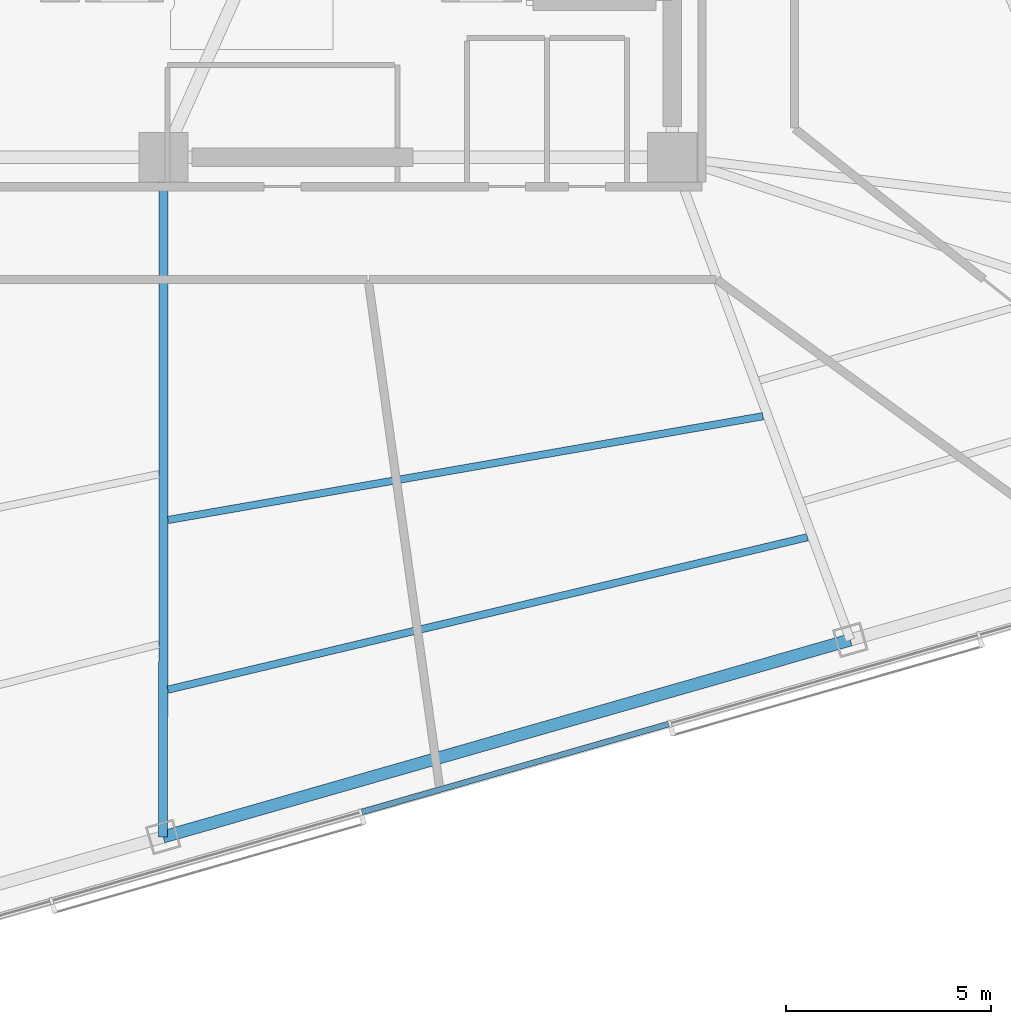
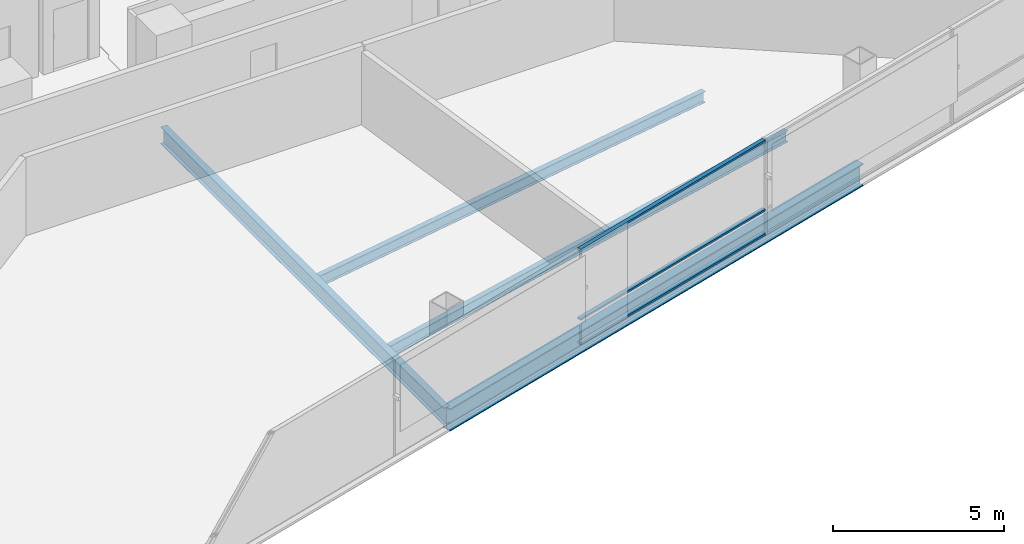
# One storey, part 3 of 18: 4 beams, 3 members, 1 element without a shape of its own.
"""IFC4 building model written with IfcOpenShell, lengths in metres."""

from ifc_helpers import new_model, si_unit, direction, frame, origin, origin_2d, place, context, subcontext, project, spatial, rectangle, i_section, extrude, material, layer, layer_set, material_profile, profile_set, type_object, element, aggregate, save


model = new_model("IFC4")

# Units and contexts
model_context = context("Model", 3, precision=1e-05, world=origin(), true_north=direction((0.0, 1.0)))
body_context = subcontext(model_context, "Body", "Model", "MODEL_VIEW")
ifc_project = project(units=[si_unit("LENGTHUNIT", "METRE"), si_unit("AREAUNIT", "SQUARE_METRE"), si_unit("VOLUMEUNIT", "CUBIC_METRE"), si_unit("PLANEANGLEUNIT", "RADIAN"), si_unit("MASSUNIT", "GRAM", prefix="KILO")], contexts=[model_context])

# Site, building, storey
site_placement = place(None, origin())
site = spatial("IfcSite", under=ifc_project, at=site_placement, CompositionType="ELEMENT")
building_placement = place(site_placement, origin())
building = spatial("IfcBuilding", under=site, at=building_placement, Name="Tharavind Bronze Gate", CompositionType="ELEMENT")
storey_placement = place(building_placement, frame((0.0, 0.0, 100.5)))
storey = spatial("IfcBuildingStorey", under=building, at=storey_placement, Name="L25", CompositionType="ELEMENT", Elevation=100.5)

# Curtain wall, members
ifc_material_1 = material(Name="Anodised Bronze Aluminium", Category="aluminium")
ifc_layer = layer(ifc_material_1, 0.219970703125)
ifc_layer_set = layer_set([ifc_layer], Name="Anodised Bronze Aluminium")
curtain_wall_type = type_object("IfcCurtainWallType", Name="UNITISED CURTAIN WALL LOWER OFFICE", PredefinedType="USERDEFINED", material=ifc_layer_set)
curtain_wall_placement = place(storey_placement, origin())
curtain_wall = element("IfcCurtainWall", 1, at=curtain_wall_placement, inside=storey, type_object=curtain_wall_type, Name="L25 unitised curtain wall lower office CW-L25-S2", ObjectType="UNITISED CURTAIN WALL", PredefinedType="USERDEFINED")
member_type = type_object("IfcMemberType", Name="CURTAIN WALL BRONZE TRANSOM 65X140", PredefinedType="USERDEFINED", material=ifc_material_1)
member_1_placement = place(storey_placement, frame((5.07177734375, -22.487060546875, 0.0), z_axis=(0.0, 0.0, 1.0), x_axis=(0.961261695938, 0.275637355817, 0.0)))
member_1 = element("IfcMember", 2, at=member_1_placement, type_object=member_type, Name="CW-L25-S2 transom TB4", ObjectType="TRANSOM", PredefinedType="USERDEFINED", context=body_context, shape_type="SweptSolid", body=[
    extrude(rectangle(XDim=7.7841796875, YDim=0.139892578125, at=origin_2d()), origin(), (0.0, 0.0, 1.0), 0.06494140625),
])
member_2_placement = place(storey_placement, frame((5.07177734375, -22.487060546875, 0.867431640625), z_axis=(0.0, 0.0, 1.0), x_axis=(0.961261695938, 0.275637355817, 0.0)))
member_2 = element("IfcMember", 3, at=member_2_placement, type_object=member_type, Name="CW-L25-S2 transom TS4", ObjectType="TRANSOM", PredefinedType="USERDEFINED", context=body_context, shape_type="SweptSolid", body=[
    extrude(rectangle(XDim=7.7841796875, YDim=0.139892578125, at=origin_2d()), origin(), (0.0, 0.0, 1.0), 0.06494140625),
])
member_3_placement = place(storey_placement, frame((5.07177734375, -22.487060546875, 3.344970703125), z_axis=(0.0, 0.0, 1.0), x_axis=(0.961261695938, 0.275637355817, 0.0)))
member_3 = element("IfcMember", 4, at=member_3_placement, type_object=member_type, Name="CW-L25-S2 transom TT4", ObjectType="TRANSOM", PredefinedType="USERDEFINED", context=body_context, shape_type="SweptSolid", body=[
    extrude(rectangle(XDim=7.7841796875, YDim=0.139892578125, at=origin_2d()), origin(), (0.0, 0.0, 1.0), 0.06494140625),
])
aggregate(curtain_wall, [member_1, member_2, member_3])

# Beams
ifc_material_2 = material(Name="Steel S355", Category="steel")
ifc_material_profile_1 = material_profile(ifc_material_2, i_section(OverallWidth=0.219970703125, OverallDepth=0.60009765625, WebThickness=0.011962890625, FlangeThickness=0.01904296875, at=origin_2d()), Name="IPE600")
ifc_profile_set_1 = profile_set([ifc_material_profile_1], Name="Steel S355")
beam_type_1 = type_object("IfcBeamType", Name="PRIMARY GIRDER IPE600", PredefinedType="USERDEFINED", material=ifc_profile_set_1)
beam_1_placement = place(storey_placement, frame((-3.5078125, -24.1669921875, -0.489990234375), z_axis=(0.000471572938, 0.999999888809, 0.0), x_axis=(-0.999999888809, 0.000471572938, 0.0)))
element("IfcBeam", 5, at=beam_1_placement, inside=storey, type_object=beam_type_1, Name="L25 primary girder ipe600 BM-L25-RAD06", ObjectType="GIRDER", PredefinedType="USERDEFINED", context=body_context, shape_type="SweptSolid", body=[
    extrude(i_section(OverallWidth=0.219970703125, OverallDepth=0.60009765625, WebThickness=0.011962890625, FlangeThickness=0.01904296875, at=origin_2d()), origin(), (0.0, 0.0, 1.0), 16.56689453125),
])
ifc_material_profile_2 = material_profile(ifc_material_2, i_section(OverallWidth=0.300048828125, OverallDepth=0.800048828125, WebThickness=0.017578125, FlangeThickness=0.032958984375, at=origin_2d()), Name="HE800B")
ifc_profile_set_2 = profile_set([ifc_material_profile_2], Name="Steel S355")
beam_type_2 = type_object("IfcBeamType", Name="RING GIRDER HE800B", PredefinedType="USERDEFINED", material=ifc_profile_set_2)
beam_2_placement = place(storey_placement, frame((-3.5078125, -24.1669921875, -0.590087890625), z_axis=(0.961261198388, 0.275639090974, 0.0), x_axis=(-0.275639090974, 0.961261198388, 0.0)))
element("IfcBeam", 6, at=beam_2_placement, inside=storey, type_object=beam_type_2, Name="L25 ring girder he800b BM-L25-PRG06", ObjectType="GIRDER", PredefinedType="USERDEFINED", context=body_context, shape_type="SweptSolid", body=[
    extrude(i_section(OverallWidth=0.300048828125, OverallDepth=0.800048828125, WebThickness=0.017578125, FlangeThickness=0.032958984375, at=origin_2d()), origin(), (0.0, 0.0, 1.0), 17.42041015625),
])
ifc_material_profile_3 = material_profile(ifc_material_2, i_section(OverallWidth=0.179931640625, OverallDepth=0.39990234375, WebThickness=0.008544921875, FlangeThickness=0.013427734375, at=origin_2d()), Name="IPE400")
ifc_profile_set_3 = profile_set([ifc_material_profile_3], Name="Steel S355")
beam_type_3 = type_object("IfcBeamType", Name="SECONDARY FLOOR JOIST IPE400", PredefinedType="JOIST", material=ifc_profile_set_3)
beam_3_placement = place(storey_placement, frame((-3.390380859375, -16.443603515625, -0.389892578125), z_axis=(0.985119071956, 0.171873250008, 0.0), x_axis=(-0.171873250008, 0.985119071956, 0.0)))
element("IfcBeam", 7, at=beam_3_placement, inside=storey, type_object=beam_type_3, Name="L25 secondary floor joist ipe400 BM-L25-JSTA06", PredefinedType="JOIST", context=body_context, shape_type="SweptSolid", body=[
    extrude(i_section(OverallWidth=0.179931640625, OverallDepth=0.39990234375, WebThickness=0.008544921875, FlangeThickness=0.013427734375, at=origin_2d()), origin(), (0.0, 0.0, 1.0), 14.716064453125),
])
beam_4_placement = place(storey_placement, frame((-3.392333984375, -20.577880859375, -0.389892578125), z_axis=(0.972740944014, 0.231894492903, 0.0), x_axis=(-0.231894492903, 0.972740944014, 0.0)))
element("IfcBeam", 8, at=beam_4_placement, inside=storey, type_object=beam_type_3, Name="L25 secondary floor joist ipe400 BM-L25-JSTB06", PredefinedType="JOIST", context=body_context, shape_type="SweptSolid", body=[
    extrude(i_section(OverallWidth=0.179931640625, OverallDepth=0.39990234375, WebThickness=0.008544921875, FlangeThickness=0.013427734375, at=origin_2d()), origin(), (0.0, 0.0, 1.0), 16.022705078125),
])

save(model, "model.ifc")
